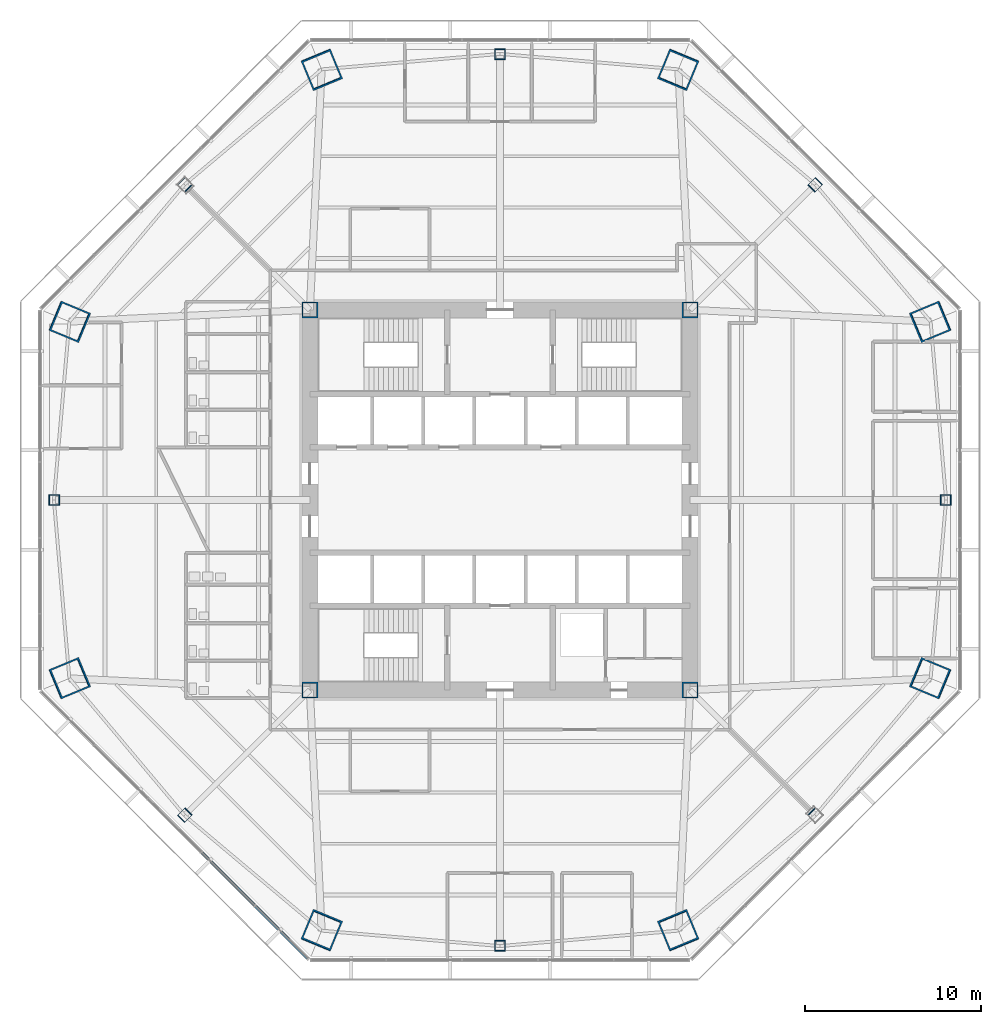
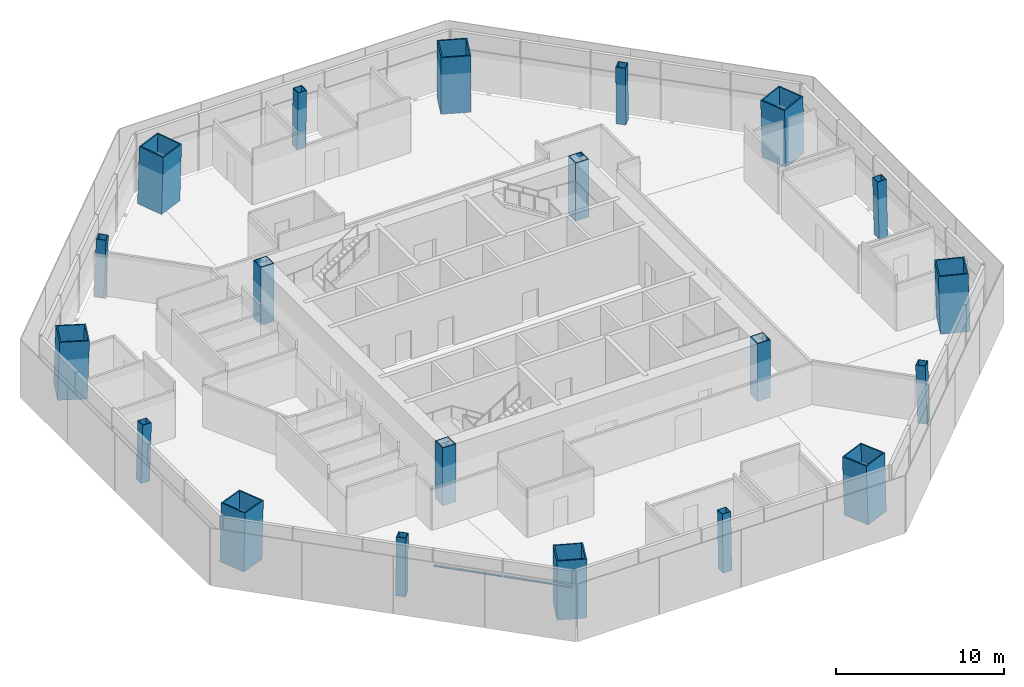
# One storey, part 1 of 15: 20 columns, 2 members, 1 element without a shape of its own.
"""IFC4 building model written with IfcOpenShell, lengths in metres."""

from ifc_helpers import new_model, si_unit, direction, frame, origin, origin_2d, place, context, subcontext, project, spatial, rectangle, hollow_rectangle, extrude, source, transform, mapped, material, material_profile, profile_set, type_object, type_shapes, element, aggregate, save


model = new_model("IFC4")

# Units and contexts
model_context = context("Model", 3, precision=1e-05, world=origin(), true_north=direction((0.0, 1.0)))
body_context = subcontext(model_context, "Body", "Model", "MODEL_VIEW")
ifc_project = project(units=[si_unit("LENGTHUNIT", "METRE"), si_unit("AREAUNIT", "SQUARE_METRE"), si_unit("VOLUMEUNIT", "CUBIC_METRE"), si_unit("PLANEANGLEUNIT", "RADIAN"), si_unit("MASSUNIT", "GRAM", prefix="KILO")], contexts=[model_context])

# Site, building, storey
site_placement = place(None, origin())
site = spatial("IfcSite", under=ifc_project, at=site_placement, CompositionType="ELEMENT")
building_placement = place(site_placement, origin())
building = spatial("IfcBuilding", under=site, at=building_placement, Name="Mashrafa Tower", CompositionType="ELEMENT")
storey_placement = place(building_placement, frame((0.0, 0.0, 66.60009765625)))
storey = spatial("IfcBuildingStorey", under=building, at=storey_placement, Name="L14", CompositionType="ELEMENT", Elevation=66.60009765625)

# Columns
ifc_material_1 = material(Name="Steel ASTM A572 Gr 50", Category="steel")
ifc_material_profile_1 = material_profile(ifc_material_1, hollow_rectangle(XDim=0.89990234375, YDim=0.89990234375, WallThickness=0.06005859375, at=origin_2d()), Name="BOX900X900X60")
ifc_profile_set_1 = profile_set([ifc_material_profile_1], Name="Steel ASTM A572 Gr 50")
column_type_1 = type_object("IfcColumnType", Name="Core corner column BOX900X900X60", PredefinedType="COLUMN", material=ifc_profile_set_1)
for number, where, z_axis, x_axis, name in (
    (1, (10.800048828125, 10.800048828125, 0.0), (0.0, 0.0, 1.0), (1.0, 0.0, 0.0), "Core corner column CC-NE L14"),
    (2, (-10.800048828125, 10.800048828125, 0.0), (0.0, 0.0, 1.0), (1.0, 0.0, 0.0), "Core corner column CC-NW L14"),
    (3, (-10.800048828125, -10.800048828125, 0.0), (0.0, 0.0, 1.0), (1.0, 0.0, 0.0), "Core corner column CC-SW L14"),
    (4, (10.800048828125, -10.800048828125, 0.0), (0.0, 0.0, 1.0), (1.0, 0.0, 0.0), "Core corner column CC-SE L14"),
):
    element("IfcColumn", number, at=place(storey_placement, frame(where, z_axis=z_axis, x_axis=x_axis)), inside=storey, type_object=column_type_1, Name=name, PredefinedType="COLUMN", context=body_context, shape_type="SweptSolid", body=[
        extrude(hollow_rectangle(XDim=0.89990234375, YDim=0.89990234375, WallThickness=0.06005859375, at=origin_2d()), origin(), (0.0, 0.0, 1.0), 4.199951171875),
    ])
ifc_material_2 = material(Name="Steel ASTM A572 Gr 50", Category="steel")
ifc_material_profile_2 = material_profile(ifc_material_2, hollow_rectangle(XDim=1.800048828125, YDim=1.800048828125, WallThickness=0.0849609375, at=origin_2d()), Name="BOX1800X1800X85")
ifc_profile_set_2 = profile_set([ifc_material_profile_2], Name="Steel ASTM A572 Gr 50")
column_type_2 = type_object("IfcColumnType", Name="Mega column CFST BOX1800X1800X85", PredefinedType="COLUMN", material=ifc_profile_set_2)
for number, where, z_axis, x_axis, name in (
    (5, (24.452392578125, 10.128662109375, 0.0), (-0.028237674468, -0.01173664659, 0.999532333078), (0.38380575713, -0.923413851312, 0.0), "Mega column MC1 L14"),
    (6, (10.128662109375, 24.452392578125, 0.0), (-0.01173664659, -0.028237674468, 0.999532333078), (0.923413851312, -0.38380575713, 0.0), "Mega column MC2 L14"),
    (7, (-10.128662109375, 24.452392578125, 0.0), (0.01173664659, -0.028237674468, 0.999532333078), (0.923413851312, 0.38380575713, 0.0), "Mega column MC3 L14"),
    (8, (-24.452392578125, 10.128662109375, 0.0), (0.028237674468, -0.01173664659, 0.999532333078), (0.38380575713, 0.923413851312, 0.0), "Mega column MC4 L14"),
    (9, (-24.452392578125, -10.128662109375, 0.0), (0.028237674468, 0.01173664659, 0.999532333078), (-0.38380575713, 0.923413851312, 0.0), "Mega column MC5 L14"),
    (10, (-10.128662109375, -24.452392578125, 0.0), (0.01173664659, 0.028237674468, 0.999532333078), (-0.923413851312, 0.38380575713, 0.0), "Mega column MC6 L14"),
    (11, (10.128662109375, -24.452392578125, 0.0), (-0.01173664659, 0.028237674468, 0.999532333078), (-0.923413851312, -0.38380575713, 0.0), "Mega column MC7 L14"),
    (12, (24.452392578125, -10.128662109375, 0.0), (-0.028237674468, 0.01173664659, 0.999532333078), (-0.38380575713, -0.923413851312, 0.0), "Mega column MC8 L14"),
):
    element("IfcColumn", number, at=place(storey_placement, frame(where, z_axis=z_axis, x_axis=x_axis)), inside=storey, type_object=column_type_2, Name=name, PredefinedType="COLUMN", context=body_context, shape_type="SweptSolid", body=[
        extrude(hollow_rectangle(XDim=1.800048828125, YDim=1.800048828125, WallThickness=0.0849609375, at=origin_2d()), origin(), (0.0, 0.0, 1.0), 4.201904296875),
    ])
ifc_material_3 = material(Name="Steel ASTM A572 Gr 50", Category="steel")
ifc_material_profile_3 = material_profile(ifc_material_3, hollow_rectangle(XDim=0.60009765625, YDim=0.60009765625, WallThickness=0.031982421875, at=origin_2d()), Name="BOX600X600X32")
ifc_profile_set_3 = profile_set([ifc_material_profile_3], Name="Steel ASTM A572 Gr 50")
column_type_3 = type_object("IfcColumnType", Name="Secondary column BOX600X600X32", PredefinedType="COLUMN", material=ifc_profile_set_3)
for number, where, z_axis, x_axis, name in (
    (13, (25.330810546875, 0.0, 0.0), (-0.028297679255, 0.0, 0.99959954049), (0.0, -1.0, 0.0), "Secondary column SC1 L14"),
    (14, (17.91162109375, 17.91162109375, 0.0), (-0.020046580746, -0.020046580746, 0.99959805382), (0.707106781187, -0.707106781187, 0.0), "Secondary column SC2 L14"),
    (15, (0.0, 25.330810546875, 0.0), (0.0, -0.028297679255, 0.99959954049), (1.0, 0.0, 0.0), "Secondary column SC3 L14"),
    (16, (-17.91162109375, 17.91162109375, 0.0), (0.020046580746, -0.020046580746, 0.99959805382), (0.707106781187, 0.707106781187, 0.0), "Secondary column SC4 L14"),
    (17, (-25.330810546875, 0.0, 0.0), (0.028297679255, 0.0, 0.99959954049), (0.0, 1.0, 0.0), "Secondary column SC5 L14"),
    (18, (-17.91162109375, -17.91162109375, 0.0), (0.020046580746, 0.020046580746, 0.99959805382), (-0.707106781187, 0.707106781187, 0.0), "Secondary column SC6 L14"),
    (19, (0.0, -25.330810546875, 0.0), (0.0, 0.028297679255, 0.99959954049), (-1.0, 0.0, 0.0), "Secondary column SC7 L14"),
    (20, (17.91162109375, -17.91162109375, 0.0), (-0.020046580746, 0.020046580746, 0.99959805382), (-0.707106781187, -0.707106781187, 0.0), "Secondary column SC8 L14"),
):
    element("IfcColumn", number, at=place(storey_placement, frame(where, z_axis=z_axis, x_axis=x_axis)), inside=storey, type_object=column_type_3, Name=name, PredefinedType="COLUMN", context=body_context, shape_type="SweptSolid", body=[
        extrude(hollow_rectangle(XDim=0.60009765625, YDim=0.60009765625, WallThickness=0.031982421875, at=origin_2d()), origin(), (0.0, 0.0, 1.0), 4.20166015625),
    ])

# Curtain wall, members
ifc_material_4 = material(Name="Unitised aluminium curtain wall", Category="aluminium")
curtain_wall_type = type_object("IfcCurtainWallType", Name="Office curtain wall, zone 1 CW-A 200 deep", PredefinedType="NOTDEFINED", material=ifc_material_4)
curtain_wall_placement = place(storey_placement, origin())
curtain_wall = element("IfcCurtainWall", 21, at=curtain_wall_placement, inside=storey, type_object=curtain_wall_type, Name="Office curtain wall, zone 1 L14 south-west", PredefinedType="NOTDEFINED")
ifc_material_5 = material(Name="Extruded aluminium transom", Category="aluminium")
ifc_material_profile_4 = material_profile(ifc_material_5, rectangle(XDim=0.159912109375, YDim=0.080078125, at=origin_2d()), Name="Transom 80x160")
ifc_profile_set_4 = profile_set([ifc_material_profile_4], Name="Extruded aluminium transom")
member_type = type_object("IfcMemberType", Name="Transom CW-A 80 x 160", PredefinedType="MULLION", material=ifc_profile_set_4)
shared_shape_1 = source(origin(), body_context, "Body", "SweptSolid", [
    extrude(rectangle(XDim=0.159912109375, YDim=0.080078125, at=origin_2d()), origin(), (0.0, 0.0, 1.0), 4.21142578125),
])
member_1_placement = place(storey_placement, frame((-13.884033203125, -23.070556640625, 3.0), z_axis=(0.707135766318, -0.707077794867, 0.0), x_axis=(0.707077794867, 0.707135766318, 0.0)))
member_1 = element("IfcMember", 22, at=member_1_placement, type_object=member_type, Name="CW-A transom 5", PredefinedType="MULLION", context=body_context, shape_type="MappedRepresentation", body=[
    mapped(shared_shape_1, transform((0.0, 0.0, 0.0))),
])
shared_shape_2 = source(origin(), body_context, "Body", "SweptSolid", [
    extrude(rectangle(XDim=0.159912109375, YDim=0.080078125, at=origin_2d()), origin(), (0.0, 0.0, 1.0), 4.24365234375),
])
type_shapes(member_type, [shared_shape_1, shared_shape_2])
member_2_placement = place(storey_placement, frame((-16.9306640625, -20.023681640625, 3.0), z_axis=(0.707106781187, -0.707106781187, 0.0), x_axis=(0.707106781187, 0.707106781187, 0.0)))
member_2 = element("IfcMember", 23, at=member_2_placement, type_object=member_type, Name="CW-A transom 4", PredefinedType="MULLION", context=body_context, shape_type="MappedRepresentation", body=[
    mapped(shared_shape_2, transform((0.0, 0.0, 0.0))),
])
aggregate(curtain_wall, [member_2, member_1])

save(model, "model.ifc")
